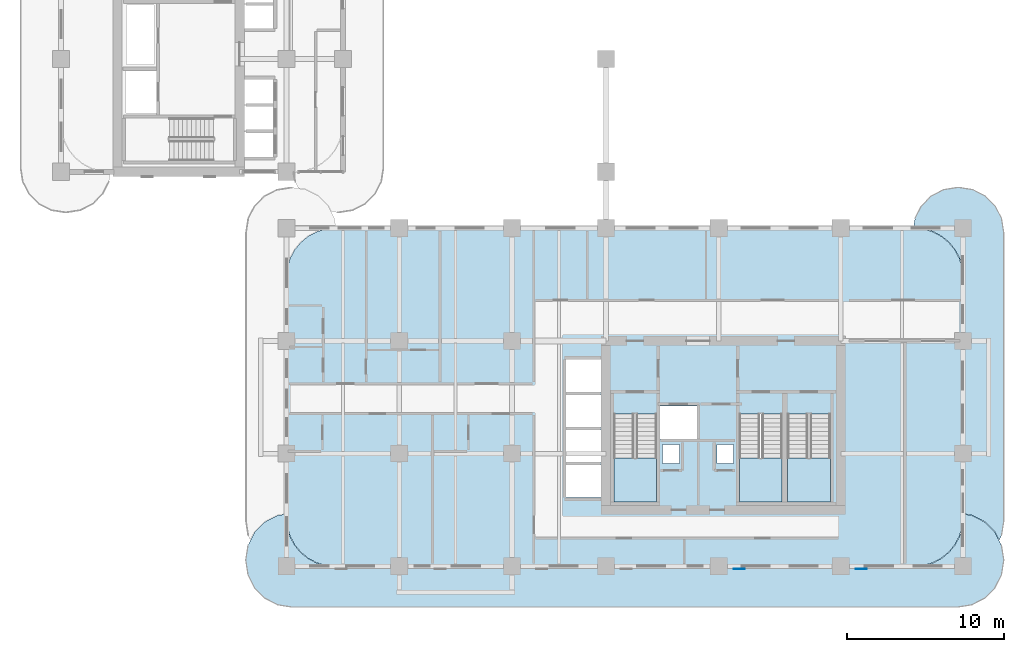
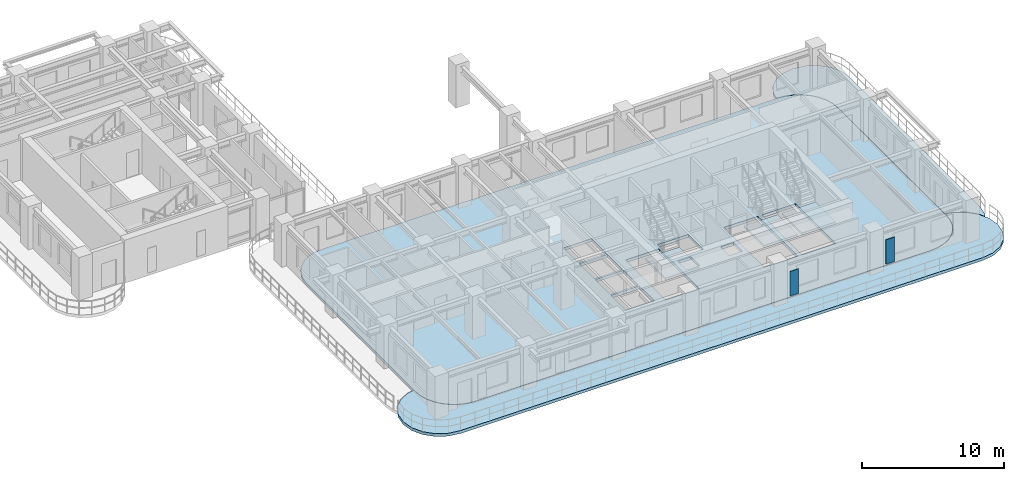
# One storey, part 5 of 19: 6 slabs, 2 plates, 3 elements without a shape of their own.
"""IFC4 building model written with IfcOpenShell, lengths in metres."""

from ifc_helpers import new_model, si_unit, derived_unit, direction, frame, origin, origin_2d, place, context, subcontext, project, spatial, polyline, rectangle, outline, extrude, source, transform, mapped, material, layer, layer_set, type_object, type_shapes, element, aggregate, save


model = new_model("IFC4")

# Units and contexts
model_context = context("Model", 3, precision=1e-05, world=origin(), true_north=direction((0.0, 1.0)))
body_context = subcontext(model_context, "Body", "Model", "MODEL_VIEW")
ifc_project = project(units=[si_unit("LENGTHUNIT", "METRE"), si_unit("AREAUNIT", "SQUARE_METRE"), si_unit("VOLUMEUNIT", "CUBIC_METRE"), si_unit("PLANEANGLEUNIT", "RADIAN"), si_unit("MASSUNIT", "GRAM", prefix="KILO"), si_unit("THERMODYNAMICTEMPERATUREUNIT", "KELVIN"), si_unit("POWERUNIT", "WATT"), derived_unit("THERMALTRANSMITTANCEUNIT", [(si_unit("POWERUNIT", "WATT"), 1), (si_unit("AREAUNIT", "SQUARE_METRE"), -1), (si_unit("THERMODYNAMICTEMPERATUREUNIT", "KELVIN"), -1)])], contexts=[model_context])

# Site, building, storey
site_placement = place(None, origin())
site = spatial("IfcSite", under=ifc_project, at=site_placement, CompositionType="ELEMENT")
building_placement = place(site_placement, origin())
building = spatial("IfcBuilding", under=site, at=building_placement, Name="Zahravan Archway Hotel and Residences", CompositionType="ELEMENT")
storey_placement = place(building_placement, frame((0.0, 0.0, 47.199951171875)))
storey = spatial("IfcBuildingStorey", under=building, at=storey_placement, Name="L10", CompositionType="ELEMENT", Elevation=47.199951171875)

# Slabs
ifc_material_1 = material(Name="Concrete C45/55", Category="concrete")
ifc_layer_1 = layer(ifc_material_1, 0.25, Name="Concrete C45/55", Category="concrete")
ifc_layer_set_1 = layer_set([ifc_layer_1], Name="Concrete C45/55")
slab_type_1 = type_object("IfcSlabType", Name="SLB-BALC-250", PredefinedType="FLOOR", material=ifc_layer_set_1)
slab_1_placement = place(storey_placement, frame((0.0, 0.0, -0.25)))
element("IfcSlab", 1, at=slab_1_placement, inside=storey, type_object=slab_type_1, Name="L10 Wing A South Rounded Balcony Band", PredefinedType="FLOOR", context=body_context, shape_type="SweptSolid", body=[
    extrude(outline(polyline([(58.16162109375, 3.255615234375), (58.98388671875, 2.836669921875), (59.63671875, 2.18408203125), (60.0556640625, 1.361572265625), (60.199951171875, 0.449951171875), (60.199951171875, 0.35009765625), (60.0556640625, -0.5615234375), (59.63671875, -1.384033203125), (58.98388671875, -2.03662109375), (58.16162109375, -2.45556640625), (57.25, -2.60009765625), (14.75, -2.60009765625), (13.83837890625, -2.45556640625), (13.01611328125, -2.03662109375), (12.36328125, -1.384033203125), (11.9443359375, -0.5615234375), (11.800048828125, 0.35009765625), (11.800048828125, 0.449951171875), (11.9443359375, 1.361572265625), (12.36328125, 2.18408203125), (13.01611328125, 2.836669921875), (13.83837890625, 3.255615234375), (14.3798828125, 3.34130859375), (14.3798828125, 3.10009765625), (14.380126953125, 3.097900390625), (14.439697265625, 2.4931640625), (14.43994140625, 2.4912109375), (14.4404296875, 2.489501953125), (14.616943359375, 1.907958984375), (14.617431640625, 1.906005859375), (14.618408203125, 1.904296875), (14.90478515625, 1.368408203125), (14.90576171875, 1.36669921875), (14.906982421875, 1.364990234375), (15.29248046875, 0.895263671875), (15.2939453125, 0.893798828125), (15.29541015625, 0.892578125), (15.764892578125, 0.5068359375), (15.7666015625, 0.505859375), (15.768310546875, 0.5048828125), (16.30419921875, 0.218505859375), (16.305908203125, 0.217529296875), (16.307861328125, 0.216796875), (16.889404296875, 0.04052734375), (16.891357421875, 0.0400390625), (16.893310546875, 0.039794921875), (17.498046875, -0.02001953125), (17.5, -0.02001953125), (54.5, -0.02001953125), (54.501953125, -0.02001953125), (55.106689453125, 0.039794921875), (55.108642578125, 0.0400390625), (55.110595703125, 0.04052734375), (55.692138671875, 0.216796875), (55.694091796875, 0.217529296875), (55.69580078125, 0.218505859375), (56.231689453125, 0.5048828125), (56.2333984375, 0.505859375), (56.235107421875, 0.5068359375), (56.70458984375, 0.892578125), (56.7060546875, 0.893798828125), (56.70751953125, 0.895263671875), (57.093017578125, 1.364990234375), (57.09423828125, 1.36669921875), (57.09521484375, 1.368408203125), (57.381591796875, 1.904296875), (57.382568359375, 1.906005859375), (57.383056640625, 1.907958984375), (57.5595703125, 2.489501953125), (57.56005859375, 2.4912109375), (57.560302734375, 2.4931640625), (57.619873046875, 3.097900390625), (57.6201171875, 3.10009765625), (57.6201171875, 3.34130859375), (58.16162109375, 3.255615234375)])), origin(), (0.0, 0.0, 1.0), 0.25),
])
slab_2_placement = place(storey_placement, frame((0.0, 0.0, -0.25)))
element("IfcSlab", 2, at=slab_2_placement, inside=storey, type_object=slab_type_1, Name="L10 Wing A East Rounded Balcony Band", PredefinedType="FLOOR", context=body_context, shape_type="SweptSolid", body=[
    extrude(outline(polyline([(54.53955078125, 22.230712890625), (54.9443359375, 23.025146484375), (55.57470703125, 23.65576171875), (56.369384765625, 24.060546875), (57.25, 24.199951171875), (57.35009765625, 24.199951171875), (58.230712890625, 24.060546875), (59.025146484375, 23.65576171875), (59.65576171875, 23.025146484375), (60.060546875, 22.230712890625), (60.199951171875, 21.35009765625), (60.199951171875, 2.85009765625), (60.060546875, 1.96923828125), (59.91455078125, 1.6826171875), (59.654296875, 2.193115234375), (59.6533203125, 2.19482421875), (59.652099609375, 2.196533203125), (59.650634765625, 2.197998046875), (58.998046875, 2.8505859375), (58.99658203125, 2.85205078125), (58.994873046875, 2.853515625), (58.9931640625, 2.8544921875), (58.170654296875, 3.2734375), (58.168701171875, 3.2744140625), (58.166748046875, 3.27490234375), (58.164794921875, 3.275390625), (57.623046875, 3.361083984375), (57.62109375, 3.361328125), (57.6201171875, 3.361328125), (57.6201171875, 18.5), (57.619873046875, 18.501953125), (57.560302734375, 19.106689453125), (57.56005859375, 19.108642578125), (57.5595703125, 19.110595703125), (57.383056640625, 19.692138671875), (57.382568359375, 19.694091796875), (57.381591796875, 19.69580078125), (57.09521484375, 20.231689453125), (57.09423828125, 20.2333984375), (57.093017578125, 20.235107421875), (56.70751953125, 20.70458984375), (56.7060546875, 20.7060546875), (56.70458984375, 20.70751953125), (56.235107421875, 21.093017578125), (56.2333984375, 21.09423828125), (56.231689453125, 21.09521484375), (55.69580078125, 21.381591796875), (55.694091796875, 21.382568359375), (55.692138671875, 21.383056640625), (55.110595703125, 21.5595703125), (55.108642578125, 21.56005859375), (55.106689453125, 21.560302734375), (54.501953125, 21.619873046875), (54.5, 21.6201171875), (54.44287109375, 21.6201171875), (54.53955078125, 22.230712890625)])), origin(), (0.0, 0.0, 1.0), 0.25),
])
ifc_layer_2 = layer(ifc_material_1, 0.25, Name="Concrete C45/55", Category="concrete")
ifc_layer_set_2 = layer_set([ifc_layer_2], Name="Concrete C45/55")
slab_type_2 = type_object("IfcSlabType", Name="SLB-FLR-250", PredefinedType="FLOOR", material=ifc_layer_set_2)
slab_3_placement = place(storey_placement, frame((0.0, 0.0, -0.25)))
element("IfcSlab", 3, at=slab_3_placement, inside=storey, type_object=slab_type_2, Name="L10 Floor Slab WA", PredefinedType="FLOOR", context=body_context, shape_type="SweptSolid", body=[
    extrude(outline(polyline([(54.5, 0.0), (55.104736328125, 0.0595703125), (55.686279296875, 0.236083984375), (56.222412109375, 0.5224609375), (56.69189453125, 0.907958984375), (57.07763671875, 1.377685546875), (57.364013671875, 1.913818359375), (57.540283203125, 2.4951171875), (57.60009765625, 3.10009765625), (57.60009765625, 18.5), (57.540283203125, 19.104736328125), (57.364013671875, 19.686279296875), (57.07763671875, 20.222412109375), (56.69189453125, 20.69189453125), (56.222412109375, 21.07763671875), (55.686279296875, 21.364013671875), (55.104736328125, 21.540283203125), (54.5, 21.60009765625), (17.5, 21.60009765625), (16.895263671875, 21.540283203125), (16.313720703125, 21.364013671875), (15.777587890625, 21.07763671875), (15.30810546875, 20.69189453125), (14.92236328125, 20.222412109375), (14.635986328125, 19.686279296875), (14.459716796875, 19.104736328125), (14.39990234375, 18.5), (14.39990234375, 3.10009765625), (14.459716796875, 2.4951171875), (14.635986328125, 1.913818359375), (14.92236328125, 1.377685546875), (15.30810546875, 0.907958984375), (15.777587890625, 0.5224609375), (16.313720703125, 0.236083984375), (16.895263671875, 0.0595703125), (17.5, 0.0), (54.5, 0.0)]), holes=[polyline([(35.300048828125, 9.72998046875), (35.300048828125, 4.10009765625), (38.0400390625, 4.10009765625), (38.0400390625, 9.72998046875), (35.300048828125, 9.72998046875)]), polyline([(43.320068359375, 9.72998046875), (43.320068359375, 4.10009765625), (46.06005859375, 4.10009765625), (46.06005859375, 9.72998046875), (43.320068359375, 9.72998046875)]), polyline([(46.39990234375, 9.72998046875), (46.39990234375, 4.10009765625), (49.139892578125, 4.10009765625), (49.139892578125, 9.72998046875), (46.39990234375, 9.72998046875)]), polyline([(38.179931640625, 8.14990234375), (40.699951171875, 8.14990234375), (40.699951171875, 10.25), (38.179931640625, 10.25), (38.179931640625, 8.14990234375)]), polyline([(32.25, 4.39990234375), (34.550048828125, 4.39990234375), (34.550048828125, 6.47998046875), (32.25, 6.47998046875), (32.25, 4.39990234375)]), polyline([(32.25, 6.639892578125), (34.550048828125, 6.639892578125), (34.550048828125, 8.719970703125), (32.25, 8.719970703125), (32.25, 6.639892578125)]), polyline([(32.25, 8.8798828125), (34.550048828125, 8.8798828125), (34.550048828125, 10.9599609375), (32.25, 10.9599609375), (32.25, 8.8798828125)]), polyline([(32.25, 11.1201171875), (34.550048828125, 11.1201171875), (34.550048828125, 13.199951171875), (32.25, 13.199951171875), (32.25, 11.1201171875)]), polyline([(38.419921875, 6.56005859375), (39.5, 6.56005859375), (39.5, 7.780029296875), (38.419921875, 7.780029296875), (38.419921875, 6.56005859375)]), polyline([(41.89990234375, 6.56005859375), (42.9599609375, 6.56005859375), (42.9599609375, 7.780029296875), (41.89990234375, 7.780029296875), (41.89990234375, 6.56005859375)])]), origin(), (0.0, 0.0, 1.0), 0.25),
])

# Stair, slab
ifc_material_2 = material(Name="Concrete C50/60", Category="concrete")
stair_type = type_object("IfcStairType", Name="STR-CORE-1300", PredefinedType="HALF_TURN_STAIR", material=ifc_material_2)
stair_1_placement = place(storey_placement, origin())
stair_1 = element("IfcStair", 4, at=stair_1_placement, inside=storey, type_object=stair_type, Name="L10 Core A Exit Stair 1", PredefinedType="HALF_TURN_STAIR")
ifc_layer_3 = layer(ifc_material_2, 0.199951171875, Name="Concrete C50/60", Category="concrete")
ifc_layer_set_3 = layer_set([ifc_layer_3], Name="Concrete C50/60")
slab_type_3 = type_object("IfcSlabType", Name="SLB-LND-200", PredefinedType="LANDING", material=ifc_layer_set_3)
slab_4_placement = place(storey_placement, frame((0.0, 0.0, 1.650146484375)))
slab_4 = element("IfcSlab", 5, at=slab_4_placement, type_object=slab_type_3, Name="ST-A1 landing 1", PredefinedType="LANDING", context=body_context, shape_type="SweptSolid", body=[
    extrude(outline(polyline([(35.300048828125, 6.929931640625), (35.300048828125, 4.10009765625), (38.0400390625, 4.10009765625), (38.0400390625, 6.929931640625), (35.300048828125, 6.929931640625)])), origin(), (0.0, 0.0, 1.0), 0.199951171875),
])
aggregate(stair_1, [slab_4])

stair_2_placement = place(storey_placement, origin())
stair_2 = element("IfcStair", 6, at=stair_2_placement, inside=storey, type_object=stair_type, Name="L10 Core A Exit Stair 2", PredefinedType="HALF_TURN_STAIR")
slab_5_placement = place(storey_placement, frame((0.0, 0.0, 1.650146484375)))
slab_5 = element("IfcSlab", 7, at=slab_5_placement, type_object=slab_type_3, Name="ST-A2 landing 1", PredefinedType="LANDING", context=body_context, shape_type="SweptSolid", body=[
    extrude(outline(polyline([(43.320068359375, 6.929931640625), (43.320068359375, 4.10009765625), (46.06005859375, 4.10009765625), (46.06005859375, 6.929931640625), (43.320068359375, 6.929931640625)])), origin(), (0.0, 0.0, 1.0), 0.199951171875),
])
aggregate(stair_2, [slab_5])

stair_3_placement = place(storey_placement, origin())
stair_3 = element("IfcStair", 8, at=stair_3_placement, inside=storey, type_object=stair_type, Name="L10 Core A Exit Stair 3", PredefinedType="HALF_TURN_STAIR")
slab_6_placement = place(storey_placement, frame((0.0, 0.0, 1.650146484375)))
slab_6 = element("IfcSlab", 9, at=slab_6_placement, type_object=slab_type_3, Name="ST-A3 landing 1", PredefinedType="LANDING", context=body_context, shape_type="SweptSolid", body=[
    extrude(outline(polyline([(46.39990234375, 6.929931640625), (46.39990234375, 4.10009765625), (49.139892578125, 4.10009765625), (49.139892578125, 6.929931640625), (46.39990234375, 6.929931640625)])), origin(), (0.0, 0.0, 1.0), 0.199951171875),
])
aggregate(stair_3, [slab_6])

# Plates
ifc_material_3 = material(Name="Perforated Cast Bronze Jali Lattice")
ifc_layer_4 = layer(ifc_material_3, 0.044921875, Name="Perforated Cast Bronze Jali Lattice")
ifc_layer_set_4 = layer_set([ifc_layer_4], Name="Perforated Cast Bronze Jali Lattice")
plate_type = type_object("IfcPlateType", Name="PLT-JALI-BAY", PredefinedType="USERDEFINED", material=ifc_layer_set_4)
shared_shape = source(origin(), body_context, "Body", "SweptSolid", [
    extrude(rectangle(XDim=0.699951171875, YDim=0.044921875, at=origin_2d()), origin(), (0.0, 0.0, 1.0), 2.10009765625),
])
type_shapes(plate_type, [shared_shape])
for number, where, z_axis, x_axis, name in (
    (10, (43.300048828125, -0.177978515625, 0.25), (0.0, 0.0, 1.0), (1.0, 0.0, 0.0), "L10 Perforated Bronze Jali Pier Screen 05"),
    (11, (51.10009765625, -0.177978515625, 0.25), (0.0, 0.0, 1.0), (1.0, 0.0, 0.0), "L10 Perforated Bronze Jali Pier Screen 06"),
):
    element("IfcPlate", number, at=place(storey_placement, frame(where, z_axis=z_axis, x_axis=x_axis)), inside=storey, type_object=plate_type, Name=name, ObjectType="SCREEN", PredefinedType="USERDEFINED", context=body_context, shape_type="MappedRepresentation", body=[
        mapped(shared_shape, transform((0.0, 0.0, 0.0), scale=1.0)),
    ])

save(model, "model.ifc")
